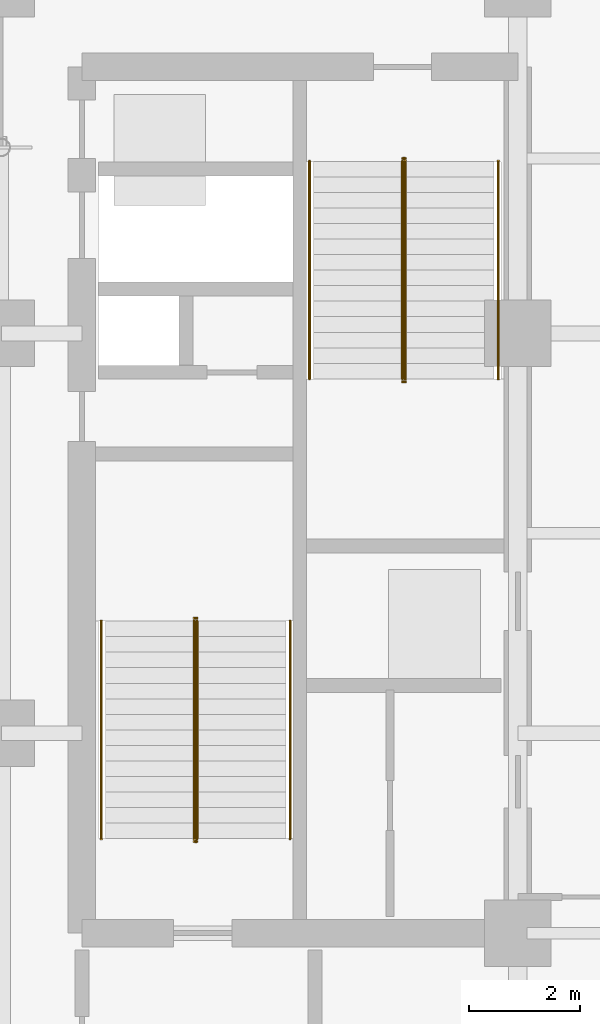
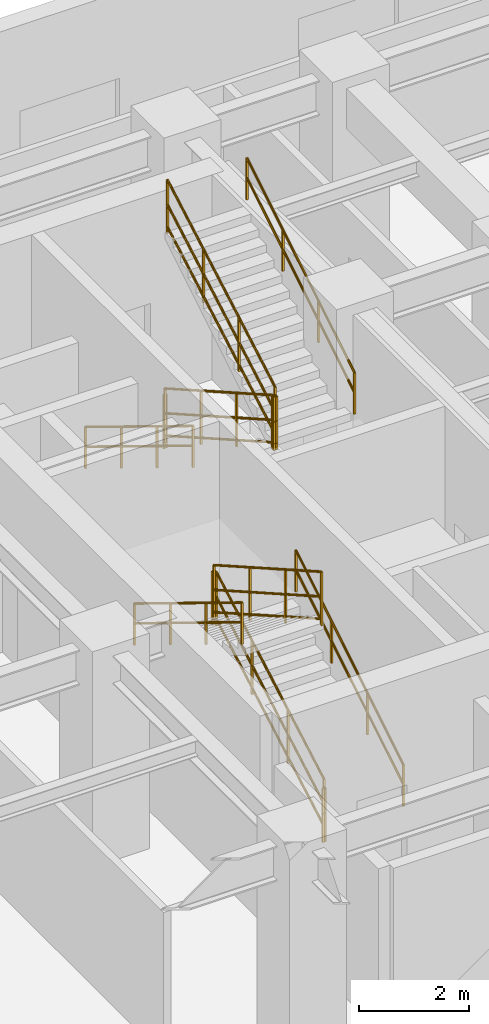
# One storey, part 16 of 18: 12 railings.
"""IFC4 building model written with IfcOpenShell, lengths in metres."""

from ifc_helpers import new_model, entity, si_unit, converted_unit, direction, frame, origin_with_axes, origin_2d_with_axis, place, context, subcontext, project, spatial, rectangle, circle, extrude, material, type_object, element, save


model = new_model("IFC4")

# Units and contexts
model_context = context("Model", 3, precision=1e-05, world=origin_with_axes(), true_north=direction((0.0, 1.0)))
body_context = subcontext(model_context, "Body", "Model", "MODEL_VIEW")
ifc_project = project(units=[si_unit("LENGTHUNIT", "METRE"), si_unit("AREAUNIT", "SQUARE_METRE"), si_unit("VOLUMEUNIT", "CUBIC_METRE"), converted_unit("PLANEANGLEUNIT", "DEGREE", entity("IfcPlaneAngleMeasure", 0.017453292519943295), si_unit("PLANEANGLEUNIT", "RADIAN"), dimensions=[0, 0, 0, 0, 0, 0, 0]), si_unit("MASSUNIT", "GRAM", prefix="KILO"), si_unit("THERMODYNAMICTEMPERATUREUNIT", "KELVIN")], contexts=[model_context])

# Site, building, storey
site_placement = place(None, origin_with_axes())
site = spatial("IfcSite", under=ifc_project, at=site_placement, CompositionType="ELEMENT")
building_placement = place(site_placement, origin_with_axes())
building = spatial("IfcBuilding", under=site, at=building_placement, Name="Varnlund Millrace Tower", CompositionType="ELEMENT")
storey_placement = place(building_placement, frame((0.0, 0.0, 124.2), z_axis=(0.0, 0.0, 1.0), x_axis=(1.0, 0.0, 0.0)))
storey = spatial("IfcBuildingStorey", under=building, at=storey_placement, Name="L30", CompositionType="ELEMENT", Elevation=124.2)

# Railings
ifc_material_1 = material(Name="Painted steel stair well balustrade guard", Category="steel")
railing_type_1 = type_object("IfcRailingType", Name="Type-StairGuard-1150", PredefinedType="GUARDRAIL", material=ifc_material_1)
railing_1_placement = place(storey_placement, frame((0.0, 0.0, -124.2), z_axis=(0.0, 0.0, 1.0), x_axis=(1.0, 0.0, 0.0)))
element("IfcRailing", 1, at=railing_1_placement, inside=storey, type_object=railing_type_1, Name="Type-StairGuard-1150", PredefinedType="GUARDRAIL", context=body_context, shape_type="SweptSolid", body=[
    extrude(circle(Radius=0.024, at=origin_2d_with_axis()), frame((42.275, 8.9, 125.521429), z_axis=(0.0, 0.869333, 0.494227), x_axis=(-1.0, 0.0, 0.0)), (0.0, 0.0, 1.0), 4.509205),
    extrude(circle(Radius=0.024, at=origin_2d_with_axis()), frame((42.275, 8.9, 124.471429), z_axis=(0.0, 0.869333, 0.494227), x_axis=(-1.0, 0.0, 0.0)), (0.0, 0.0, 1.0), 4.509205),
    extrude(circle(Radius=0.024, at=origin_2d_with_axis()), frame((42.275, 8.9, 124.969429), z_axis=(0.0, 0.869333, 0.494227), x_axis=(-1.0, 0.0, 0.0)), (0.0, 0.0, 1.0), 4.509205),
    extrude(rectangle(XDim=0.04, YDim=0.04, at=origin_2d_with_axis()), frame((42.275, 8.9, 124.331429), z_axis=(0.0, 0.0, 1.0), x_axis=(1.0, 0.0, 0.0)), (0.0, 0.0, 1.0), 1.19),
    extrude(rectangle(XDim=0.04, YDim=0.04, at=origin_2d_with_axis()), frame((42.275, 10.206667, 125.074286), z_axis=(0.0, 0.0, 1.0), x_axis=(1.0, 0.0, 0.0)), (0.0, 0.0, 1.0), 1.19),
    extrude(rectangle(XDim=0.04, YDim=0.04, at=origin_2d_with_axis()), frame((42.275, 11.513333, 125.817143), z_axis=(0.0, 0.0, 1.0), x_axis=(1.0, 0.0, 0.0)), (0.0, 0.0, 1.0), 1.19),
    extrude(rectangle(XDim=0.04, YDim=0.04, at=origin_2d_with_axis()), frame((42.275, 12.82, 126.56), z_axis=(0.0, 0.0, 1.0), x_axis=(1.0, 0.0, 0.0)), (0.0, 0.0, 1.0), 1.19),
])
railing_2_placement = place(storey_placement, frame((0.0, 0.0, -124.2), z_axis=(0.0, 0.0, 1.0), x_axis=(1.0, 0.0, 0.0)))
element("IfcRailing", 2, at=railing_2_placement, inside=storey, type_object=railing_type_1, Name="Type-StairGuard-1150", PredefinedType="GUARDRAIL", context=body_context, shape_type="SweptSolid", body=[
    extrude(circle(Radius=0.024, at=origin_2d_with_axis()), frame((42.225, 12.87, 127.75), z_axis=(1.0, 0.0, 0.0), x_axis=(0.0, 1.0, 0.0)), (0.0, 0.0, 1.0), 0.05),
    extrude(circle(Radius=0.024, at=origin_2d_with_axis()), frame((42.225, 12.87, 126.7), z_axis=(1.0, 0.0, 0.0), x_axis=(0.0, 1.0, 0.0)), (0.0, 0.0, 1.0), 0.05),
    extrude(circle(Radius=0.024, at=origin_2d_with_axis()), frame((42.225, 12.87, 127.198), z_axis=(1.0, 0.0, 0.0), x_axis=(0.0, 1.0, 0.0)), (0.0, 0.0, 1.0), 0.05),
    extrude(rectangle(XDim=0.04, YDim=0.04, at=origin_2d_with_axis()), frame((42.225, 12.87, 126.56), z_axis=(0.0, 0.0, 1.0), x_axis=(1.0, 0.0, 0.0)), (0.0, 0.0, 1.0), 1.19),
    extrude(rectangle(XDim=0.04, YDim=0.04, at=origin_2d_with_axis()), frame((42.275, 12.87, 126.56), z_axis=(0.0, 0.0, 1.0), x_axis=(1.0, 0.0, 0.0)), (0.0, 0.0, 1.0), 1.19),
])
railing_3_placement = place(storey_placement, frame((0.0, 0.0, -124.2), z_axis=(0.0, 0.0, 1.0), x_axis=(1.0, 0.0, 0.0)))
element("IfcRailing", 3, at=railing_3_placement, inside=storey, type_object=railing_type_1, Name="Type-StairGuard-1150", PredefinedType="GUARDRAIL", context=body_context, shape_type="SweptSolid", body=[
    extrude(circle(Radius=0.024, at=origin_2d_with_axis()), frame((42.225, 12.82, 127.921429), z_axis=(0.0, -0.869333, 0.494227), x_axis=(1.0, 0.0, 0.0)), (0.0, 0.0, 1.0), 4.509205),
    extrude(circle(Radius=0.024, at=origin_2d_with_axis()), frame((42.225, 12.82, 126.871429), z_axis=(0.0, -0.869333, 0.494227), x_axis=(1.0, 0.0, 0.0)), (0.0, 0.0, 1.0), 4.509205),
    extrude(circle(Radius=0.024, at=origin_2d_with_axis()), frame((42.225, 12.82, 127.369429), z_axis=(0.0, -0.869333, 0.494227), x_axis=(1.0, 0.0, 0.0)), (0.0, 0.0, 1.0), 4.509205),
    extrude(rectangle(XDim=0.04, YDim=0.04, at=origin_2d_with_axis()), frame((42.225, 12.82, 126.731429), z_axis=(0.0, 0.0, 1.0), x_axis=(1.0, 0.0, 0.0)), (0.0, 0.0, 1.0), 1.19),
    extrude(rectangle(XDim=0.04, YDim=0.04, at=origin_2d_with_axis()), frame((42.225, 11.513333, 127.474286), z_axis=(0.0, 0.0, 1.0), x_axis=(1.0, 0.0, 0.0)), (0.0, 0.0, 1.0), 1.19),
    extrude(rectangle(XDim=0.04, YDim=0.04, at=origin_2d_with_axis()), frame((42.225, 10.206667, 128.217143), z_axis=(0.0, 0.0, 1.0), x_axis=(1.0, 0.0, 0.0)), (0.0, 0.0, 1.0), 1.19),
    extrude(rectangle(XDim=0.04, YDim=0.04, at=origin_2d_with_axis()), frame((42.225, 8.9, 128.96), z_axis=(0.0, 0.0, 1.0), x_axis=(1.0, 0.0, 0.0)), (0.0, 0.0, 1.0), 1.19),
])
railing_4_placement = place(storey_placement, frame((0.0, 0.0, -124.2), z_axis=(0.0, 0.0, 1.0), x_axis=(1.0, 0.0, 0.0)))
element("IfcRailing", 4, at=railing_4_placement, inside=storey, type_object=railing_type_1, Name="Type-StairGuard-1150", PredefinedType="GUARDRAIL", context=body_context, shape_type="SweptSolid", body=[
    extrude(circle(Radius=0.024, at=origin_2d_with_axis()), frame((42.225, 8.85, 125.35), z_axis=(1.0, 0.0, 0.0), x_axis=(0.0, 1.0, 0.0)), (0.0, 0.0, 1.0), 0.05),
    extrude(circle(Radius=0.024, at=origin_2d_with_axis()), frame((42.225, 8.85, 124.3), z_axis=(1.0, 0.0, 0.0), x_axis=(0.0, 1.0, 0.0)), (0.0, 0.0, 1.0), 0.05),
    extrude(circle(Radius=0.024, at=origin_2d_with_axis()), frame((42.225, 8.85, 124.798), z_axis=(1.0, 0.0, 0.0), x_axis=(0.0, 1.0, 0.0)), (0.0, 0.0, 1.0), 0.05),
    extrude(rectangle(XDim=0.04, YDim=0.04, at=origin_2d_with_axis()), frame((42.225, 8.85, 124.16), z_axis=(0.0, 0.0, 1.0), x_axis=(1.0, 0.0, 0.0)), (0.0, 0.0, 1.0), 1.19),
    extrude(rectangle(XDim=0.04, YDim=0.04, at=origin_2d_with_axis()), frame((42.275, 8.85, 124.16), z_axis=(0.0, 0.0, 1.0), x_axis=(1.0, 0.0, 0.0)), (0.0, 0.0, 1.0), 1.19),
])
railing_5_placement = place(storey_placement, frame((0.0, 0.0, -124.2), z_axis=(0.0, 0.0, 1.0), x_axis=(1.0, 0.0, 0.0)))
element("IfcRailing", 5, at=railing_5_placement, inside=storey, type_object=railing_type_1, Name="Type-StairGuard-1150", PredefinedType="GUARDRAIL", context=body_context, shape_type="SweptSolid", body=[
    extrude(circle(Radius=0.024, at=origin_2d_with_axis()), frame((45.975, 21.1, 125.521429), z_axis=(0.0, -0.869333, 0.494227), x_axis=(1.0, 0.0, 0.0)), (0.0, 0.0, 1.0), 4.509205),
    extrude(circle(Radius=0.024, at=origin_2d_with_axis()), frame((45.975, 21.1, 124.471429), z_axis=(0.0, -0.869333, 0.494227), x_axis=(1.0, 0.0, 0.0)), (0.0, 0.0, 1.0), 4.509205),
    extrude(circle(Radius=0.024, at=origin_2d_with_axis()), frame((45.975, 21.1, 124.969429), z_axis=(0.0, -0.869333, 0.494227), x_axis=(1.0, 0.0, 0.0)), (0.0, 0.0, 1.0), 4.509205),
    extrude(rectangle(XDim=0.04, YDim=0.04, at=origin_2d_with_axis()), frame((45.975, 21.1, 124.331429), z_axis=(0.0, 0.0, 1.0), x_axis=(1.0, 0.0, 0.0)), (0.0, 0.0, 1.0), 1.19),
    extrude(rectangle(XDim=0.04, YDim=0.04, at=origin_2d_with_axis()), frame((45.975, 19.793333, 125.074286), z_axis=(0.0, 0.0, 1.0), x_axis=(1.0, 0.0, 0.0)), (0.0, 0.0, 1.0), 1.19),
    extrude(rectangle(XDim=0.04, YDim=0.04, at=origin_2d_with_axis()), frame((45.975, 18.486667, 125.817143), z_axis=(0.0, 0.0, 1.0), x_axis=(1.0, 0.0, 0.0)), (0.0, 0.0, 1.0), 1.19),
    extrude(rectangle(XDim=0.04, YDim=0.04, at=origin_2d_with_axis()), frame((45.975, 17.18, 126.56), z_axis=(0.0, 0.0, 1.0), x_axis=(1.0, 0.0, 0.0)), (0.0, 0.0, 1.0), 1.19),
])
railing_6_placement = place(storey_placement, frame((0.0, 0.0, -124.2), z_axis=(0.0, 0.0, 1.0), x_axis=(1.0, 0.0, 0.0)))
element("IfcRailing", 6, at=railing_6_placement, inside=storey, type_object=railing_type_1, Name="Type-StairGuard-1150", PredefinedType="GUARDRAIL", context=body_context, shape_type="SweptSolid", body=[
    extrude(circle(Radius=0.024, at=origin_2d_with_axis()), frame((46.025, 17.13, 127.75), z_axis=(-1.0, 0.0, 0.0), x_axis=(0.0, -1.0, 0.0)), (0.0, 0.0, 1.0), 0.05),
    extrude(circle(Radius=0.024, at=origin_2d_with_axis()), frame((46.025, 17.13, 126.7), z_axis=(-1.0, 0.0, 0.0), x_axis=(0.0, -1.0, 0.0)), (0.0, 0.0, 1.0), 0.05),
    extrude(circle(Radius=0.024, at=origin_2d_with_axis()), frame((46.025, 17.13, 127.198), z_axis=(-1.0, 0.0, 0.0), x_axis=(0.0, -1.0, 0.0)), (0.0, 0.0, 1.0), 0.05),
    extrude(rectangle(XDim=0.04, YDim=0.04, at=origin_2d_with_axis()), frame((46.025, 17.13, 126.56), z_axis=(0.0, 0.0, 1.0), x_axis=(1.0, 0.0, 0.0)), (0.0, 0.0, 1.0), 1.19),
    extrude(rectangle(XDim=0.04, YDim=0.04, at=origin_2d_with_axis()), frame((45.975, 17.13, 126.56), z_axis=(0.0, 0.0, 1.0), x_axis=(1.0, 0.0, 0.0)), (0.0, 0.0, 1.0), 1.19),
])
railing_7_placement = place(storey_placement, frame((0.0, 0.0, -124.2), z_axis=(0.0, 0.0, 1.0), x_axis=(1.0, 0.0, 0.0)))
element("IfcRailing", 7, at=railing_7_placement, inside=storey, type_object=railing_type_1, Name="Type-StairGuard-1150", PredefinedType="GUARDRAIL", context=body_context, shape_type="SweptSolid", body=[
    extrude(circle(Radius=0.024, at=origin_2d_with_axis()), frame((46.025, 17.18, 127.921429), z_axis=(0.0, 0.869333, 0.494227), x_axis=(-1.0, 0.0, 0.0)), (0.0, 0.0, 1.0), 4.509205),
    extrude(circle(Radius=0.024, at=origin_2d_with_axis()), frame((46.025, 17.18, 126.871429), z_axis=(0.0, 0.869333, 0.494227), x_axis=(-1.0, 0.0, 0.0)), (0.0, 0.0, 1.0), 4.509205),
    extrude(circle(Radius=0.024, at=origin_2d_with_axis()), frame((46.025, 17.18, 127.369429), z_axis=(0.0, 0.869333, 0.494227), x_axis=(-1.0, 0.0, 0.0)), (0.0, 0.0, 1.0), 4.509205),
    extrude(rectangle(XDim=0.04, YDim=0.04, at=origin_2d_with_axis()), frame((46.025, 17.18, 126.731429), z_axis=(0.0, 0.0, 1.0), x_axis=(1.0, 0.0, 0.0)), (0.0, 0.0, 1.0), 1.19),
    extrude(rectangle(XDim=0.04, YDim=0.04, at=origin_2d_with_axis()), frame((46.025, 18.486667, 127.474286), z_axis=(0.0, 0.0, 1.0), x_axis=(1.0, 0.0, 0.0)), (0.0, 0.0, 1.0), 1.19),
    extrude(rectangle(XDim=0.04, YDim=0.04, at=origin_2d_with_axis()), frame((46.025, 19.793333, 128.217143), z_axis=(0.0, 0.0, 1.0), x_axis=(1.0, 0.0, 0.0)), (0.0, 0.0, 1.0), 1.19),
    extrude(rectangle(XDim=0.04, YDim=0.04, at=origin_2d_with_axis()), frame((46.025, 21.1, 128.96), z_axis=(0.0, 0.0, 1.0), x_axis=(1.0, 0.0, 0.0)), (0.0, 0.0, 1.0), 1.19),
])
railing_8_placement = place(storey_placement, frame((0.0, 0.0, -124.2), z_axis=(0.0, 0.0, 1.0), x_axis=(1.0, 0.0, 0.0)))
element("IfcRailing", 8, at=railing_8_placement, inside=storey, type_object=railing_type_1, Name="Type-StairGuard-1150", PredefinedType="GUARDRAIL", context=body_context, shape_type="SweptSolid", body=[
    extrude(circle(Radius=0.024, at=origin_2d_with_axis()), frame((46.025, 21.15, 125.35), z_axis=(-1.0, 0.0, 0.0), x_axis=(0.0, -1.0, 0.0)), (0.0, 0.0, 1.0), 0.05),
    extrude(circle(Radius=0.024, at=origin_2d_with_axis()), frame((46.025, 21.15, 124.3), z_axis=(-1.0, 0.0, 0.0), x_axis=(0.0, -1.0, 0.0)), (0.0, 0.0, 1.0), 0.05),
    extrude(circle(Radius=0.024, at=origin_2d_with_axis()), frame((46.025, 21.15, 124.798), z_axis=(-1.0, 0.0, 0.0), x_axis=(0.0, -1.0, 0.0)), (0.0, 0.0, 1.0), 0.05),
    extrude(rectangle(XDim=0.04, YDim=0.04, at=origin_2d_with_axis()), frame((46.025, 21.15, 124.16), z_axis=(0.0, 0.0, 1.0), x_axis=(1.0, 0.0, 0.0)), (0.0, 0.0, 1.0), 1.19),
    extrude(rectangle(XDim=0.04, YDim=0.04, at=origin_2d_with_axis()), frame((45.975, 21.15, 124.16), z_axis=(0.0, 0.0, 1.0), x_axis=(1.0, 0.0, 0.0)), (0.0, 0.0, 1.0), 1.19),
])
ifc_material_2 = material(Name="Brushed architectural bronze stair handrail", Category="aluminium")
railing_type_2 = type_object("IfcRailingType", Name="Type-StairHandrail-900", PredefinedType="HANDRAIL", material=ifc_material_2)
railing_9_placement = place(storey_placement, frame((0.0, 0.0, -124.2), z_axis=(0.0, 0.0, 1.0), x_axis=(1.0, 0.0, 0.0)))
element("IfcRailing", 9, at=railing_9_placement, inside=storey, type_object=railing_type_2, Name="Type-StairHandrail-900", PredefinedType="HANDRAIL", context=body_context, shape_type="SweptSolid", body=[
    extrude(circle(Radius=0.024, at=origin_2d_with_axis()), frame((43.95, 8.9, 125.250961), z_axis=(0.0, 0.852851, 0.522154), x_axis=(-1.0, 0.0, 0.0)), (0.0, 0.0, 1.0), 4.596346),
    extrude(circle(Radius=0.024, at=origin_2d_with_axis()), frame((43.95, 8.9, 124.811195), z_axis=(0.0, 0.852851, 0.522154), x_axis=(-1.0, 0.0, 0.0)), (0.0, 0.0, 1.0), 4.596346),
    extrude(rectangle(XDim=0.04, YDim=0.04, at=origin_2d_with_axis()), frame((43.95, 8.9, 124.331429), z_axis=(0.0, 0.0, 1.0), x_axis=(1.0, 0.0, 0.0)), (0.0, 0.0, 1.0), 0.919532),
    extrude(rectangle(XDim=0.04, YDim=0.04, at=origin_2d_with_axis()), frame((43.95, 10.206667, 125.131429), z_axis=(0.0, 0.0, 1.0), x_axis=(1.0, 0.0, 0.0)), (0.0, 0.0, 1.0), 0.919532),
    extrude(rectangle(XDim=0.04, YDim=0.04, at=origin_2d_with_axis()), frame((43.95, 11.513333, 125.931429), z_axis=(0.0, 0.0, 1.0), x_axis=(1.0, 0.0, 0.0)), (0.0, 0.0, 1.0), 0.919532),
    extrude(rectangle(XDim=0.04, YDim=0.04, at=origin_2d_with_axis()), frame((43.95, 12.82, 126.731429), z_axis=(0.0, 0.0, 1.0), x_axis=(1.0, 0.0, 0.0)), (0.0, 0.0, 1.0), 0.919532),
])
railing_10_placement = place(storey_placement, frame((0.0, 0.0, -124.2), z_axis=(0.0, 0.0, 1.0), x_axis=(1.0, 0.0, 0.0)))
element("IfcRailing", 10, at=railing_10_placement, inside=storey, type_object=railing_type_2, Name="Type-StairHandrail-900", PredefinedType="HANDRAIL", context=body_context, shape_type="SweptSolid", body=[
    extrude(circle(Radius=0.024, at=origin_2d_with_axis()), frame((40.55, 12.82, 127.650961), z_axis=(0.0, -0.852851, 0.522154), x_axis=(1.0, 0.0, 0.0)), (0.0, 0.0, 1.0), 4.596346),
    extrude(circle(Radius=0.024, at=origin_2d_with_axis()), frame((40.55, 12.82, 127.211195), z_axis=(0.0, -0.852851, 0.522154), x_axis=(1.0, 0.0, 0.0)), (0.0, 0.0, 1.0), 4.596346),
    extrude(rectangle(XDim=0.04, YDim=0.04, at=origin_2d_with_axis()), frame((40.55, 12.82, 126.731429), z_axis=(0.0, 0.0, 1.0), x_axis=(1.0, 0.0, 0.0)), (0.0, 0.0, 1.0), 0.919532),
    extrude(rectangle(XDim=0.04, YDim=0.04, at=origin_2d_with_axis()), frame((40.55, 11.513333, 127.531429), z_axis=(0.0, 0.0, 1.0), x_axis=(1.0, 0.0, 0.0)), (0.0, 0.0, 1.0), 0.919532),
    extrude(rectangle(XDim=0.04, YDim=0.04, at=origin_2d_with_axis()), frame((40.55, 10.206667, 128.331429), z_axis=(0.0, 0.0, 1.0), x_axis=(1.0, 0.0, 0.0)), (0.0, 0.0, 1.0), 0.919532),
    extrude(rectangle(XDim=0.04, YDim=0.04, at=origin_2d_with_axis()), frame((40.55, 8.9, 129.131429), z_axis=(0.0, 0.0, 1.0), x_axis=(1.0, 0.0, 0.0)), (0.0, 0.0, 1.0), 0.919532),
])
railing_11_placement = place(storey_placement, frame((0.0, 0.0, -124.2), z_axis=(0.0, 0.0, 1.0), x_axis=(1.0, 0.0, 0.0)))
element("IfcRailing", 11, at=railing_11_placement, inside=storey, type_object=railing_type_2, Name="Type-StairHandrail-900", PredefinedType="HANDRAIL", context=body_context, shape_type="SweptSolid", body=[
    extrude(circle(Radius=0.024, at=origin_2d_with_axis()), frame((44.3, 21.1, 125.250961), z_axis=(0.0, -0.852851, 0.522154), x_axis=(1.0, 0.0, 0.0)), (0.0, 0.0, 1.0), 4.596346),
    extrude(circle(Radius=0.024, at=origin_2d_with_axis()), frame((44.3, 21.1, 124.811195), z_axis=(0.0, -0.852851, 0.522154), x_axis=(1.0, 0.0, 0.0)), (0.0, 0.0, 1.0), 4.596346),
    extrude(rectangle(XDim=0.04, YDim=0.04, at=origin_2d_with_axis()), frame((44.3, 21.1, 124.331429), z_axis=(0.0, 0.0, 1.0), x_axis=(1.0, 0.0, 0.0)), (0.0, 0.0, 1.0), 0.919532),
    extrude(rectangle(XDim=0.04, YDim=0.04, at=origin_2d_with_axis()), frame((44.3, 19.793333, 125.131429), z_axis=(0.0, 0.0, 1.0), x_axis=(1.0, 0.0, 0.0)), (0.0, 0.0, 1.0), 0.919532),
    extrude(rectangle(XDim=0.04, YDim=0.04, at=origin_2d_with_axis()), frame((44.3, 18.486667, 125.931429), z_axis=(0.0, 0.0, 1.0), x_axis=(1.0, 0.0, 0.0)), (0.0, 0.0, 1.0), 0.919532),
    extrude(rectangle(XDim=0.04, YDim=0.04, at=origin_2d_with_axis()), frame((44.3, 17.18, 126.731429), z_axis=(0.0, 0.0, 1.0), x_axis=(1.0, 0.0, 0.0)), (0.0, 0.0, 1.0), 0.919532),
])
railing_12_placement = place(storey_placement, frame((0.0, 0.0, -124.2), z_axis=(0.0, 0.0, 1.0), x_axis=(1.0, 0.0, 0.0)))
element("IfcRailing", 12, at=railing_12_placement, inside=storey, type_object=railing_type_2, Name="Type-StairHandrail-900", PredefinedType="HANDRAIL", context=body_context, shape_type="SweptSolid", body=[
    extrude(circle(Radius=0.024, at=origin_2d_with_axis()), frame((47.7, 17.18, 127.650961), z_axis=(0.0, 0.852851, 0.522154), x_axis=(-1.0, 0.0, 0.0)), (0.0, 0.0, 1.0), 4.596346),
    extrude(circle(Radius=0.024, at=origin_2d_with_axis()), frame((47.7, 17.18, 127.211195), z_axis=(0.0, 0.852851, 0.522154), x_axis=(-1.0, 0.0, 0.0)), (0.0, 0.0, 1.0), 4.596346),
    extrude(rectangle(XDim=0.04, YDim=0.04, at=origin_2d_with_axis()), frame((47.7, 17.18, 126.731429), z_axis=(0.0, 0.0, 1.0), x_axis=(1.0, 0.0, 0.0)), (0.0, 0.0, 1.0), 0.919532),
    extrude(rectangle(XDim=0.04, YDim=0.04, at=origin_2d_with_axis()), frame((47.7, 18.486667, 127.531429), z_axis=(0.0, 0.0, 1.0), x_axis=(1.0, 0.0, 0.0)), (0.0, 0.0, 1.0), 0.919532),
    extrude(rectangle(XDim=0.04, YDim=0.04, at=origin_2d_with_axis()), frame((47.7, 19.793333, 128.331429), z_axis=(0.0, 0.0, 1.0), x_axis=(1.0, 0.0, 0.0)), (0.0, 0.0, 1.0), 0.919532),
    extrude(rectangle(XDim=0.04, YDim=0.04, at=origin_2d_with_axis()), frame((47.7, 21.1, 129.131429), z_axis=(0.0, 0.0, 1.0), x_axis=(1.0, 0.0, 0.0)), (0.0, 0.0, 1.0), 0.919532),
])

save(model, "model.ifc")
